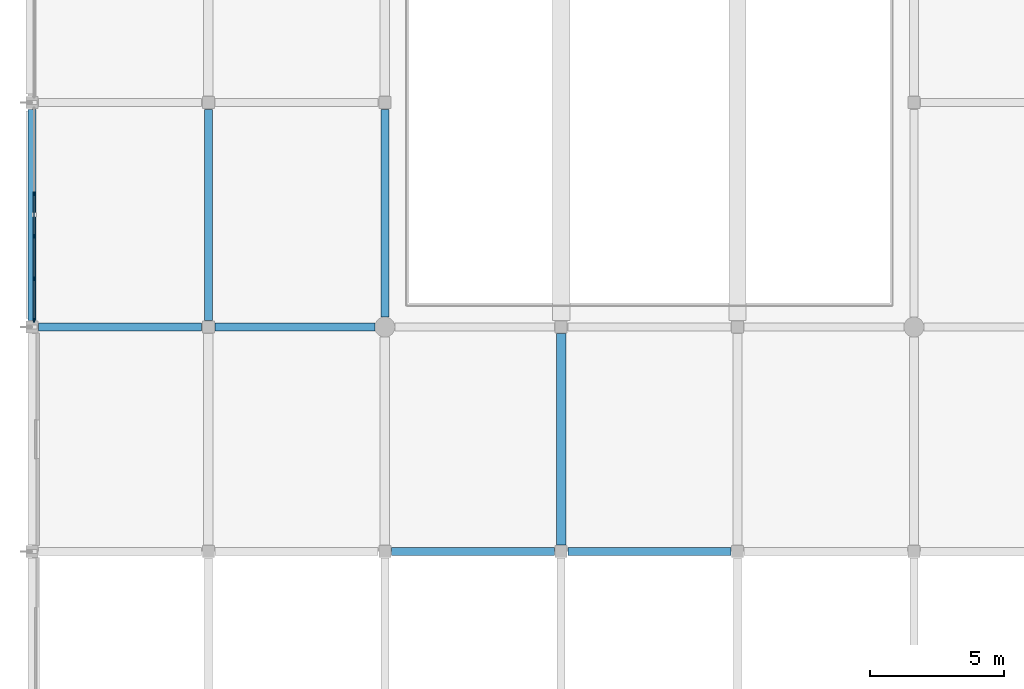
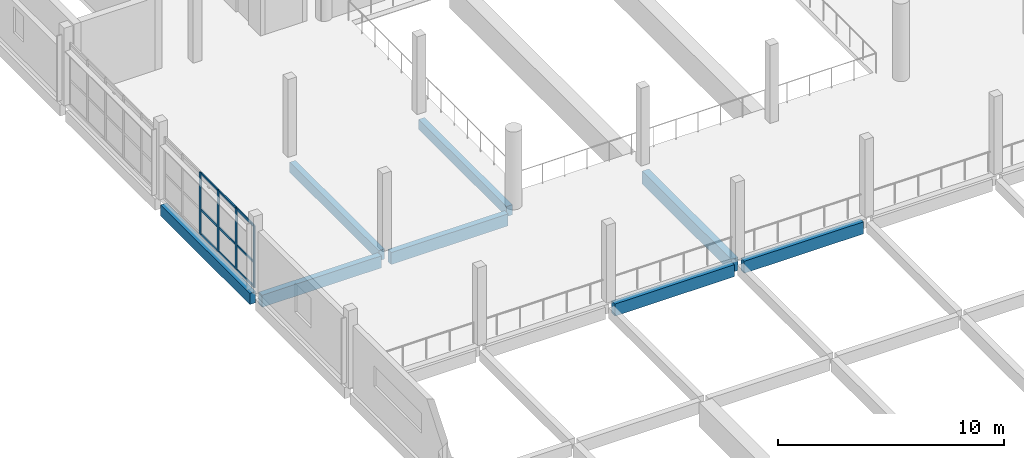
# One storey, part 4 of 74: 13 members, 8 beams, 1 element without a shape of its own.
"""IFC4 building model written with IfcOpenShell, lengths in metres."""

from ifc_helpers import new_model, si_unit, direction, frame, origin, origin_2d, place, context, subcontext, project, spatial, rectangle, extrude, material, material_profile, profile_set, type_object, element, aggregate, save


model = new_model("IFC4")

# Units and contexts
model_context = context("Model", 3, precision=1e-05, world=origin(), true_north=direction((0.0, 1.0)))
body_context = subcontext(model_context, "Body", "Model", "MODEL_VIEW")
ifc_project = project(units=[si_unit("LENGTHUNIT", "METRE"), si_unit("AREAUNIT", "SQUARE_METRE"), si_unit("VOLUMEUNIT", "CUBIC_METRE"), si_unit("PLANEANGLEUNIT", "RADIAN"), si_unit("MASSUNIT", "GRAM", prefix="KILO")], contexts=[model_context])

# Site, building, storey
site_placement = place(None, origin())
site = spatial("IfcSite", under=ifc_project, at=site_placement, CompositionType="ELEMENT")
building_placement = place(site_placement, origin())
building = spatial("IfcBuilding", under=site, at=building_placement, Name="Qaldarim Faculty of Natural and Applied Sciences", CompositionType="ELEMENT")
storey_placement = place(building_placement, frame((0.0, 0.0, 14.39990234375)))
storey = spatial("IfcBuildingStorey", under=building, at=storey_placement, Name="L03", CompositionType="ELEMENT", Elevation=14.39990234375)

# Beams
ifc_material_1 = material(Name="Concrete C40/50", Category="concrete")
ifc_material_profile_1 = material_profile(ifc_material_1, rectangle(XDim=0.300048828125, YDim=0.550048828125, at=origin_2d()), Name="RC-B300x550")
ifc_profile_set_1 = profile_set([ifc_material_profile_1], Name="Concrete C40/50")
beam_type_1 = type_object("IfcBeamType", Name="FloorBeam-RC300x550", PredefinedType="BEAM", material=ifc_profile_set_1)
beam_1_placement = place(storey_placement, frame((6.60009765625, 59.050048828125, -0.534912109375), z_axis=(0.0, 1.0, 0.0), x_axis=(-1.0, 0.0, 0.0)))
element("IfcBeam", 1, at=beam_1_placement, inside=storey, type_object=beam_type_1, Name="Beam RC-B300x550 L02 X02/Y08-Y09", PredefinedType="BEAM", context=body_context, shape_type="SweptSolid", body=[
    extrude(rectangle(XDim=0.300048828125, YDim=0.550048828125, at=origin_2d()), origin(), (0.0, 0.0, 1.0), 7.89990234375),
])
beam_2_placement = place(storey_placement, frame((13.199951171875, 59.175048828125, -0.534912109375), z_axis=(0.0, 1.0, 0.0), x_axis=(-1.0, 0.0, 0.0)))
element("IfcBeam", 2, at=beam_2_placement, inside=storey, type_object=beam_type_1, Name="Beam RC-B300x550 L02 X03/Y08-Y09", PredefinedType="BEAM", context=body_context, shape_type="SweptSolid", body=[
    extrude(rectangle(XDim=0.300048828125, YDim=0.550048828125, at=origin_2d()), origin(), (0.0, 0.0, 1.0), 7.77490234375),
])

# Curtain wall, members
ifc_material_2 = material(Name="Anodised aluminium AW-6063", Category="aluminium")
curtain_wall_type = type_object("IfcCurtainWallType", Name="CurtainWallSystem-M1500", PredefinedType="USERDEFINED", material=ifc_material_2)
curtain_wall_placement = place(storey_placement, origin())
curtain_wall = element("IfcCurtainWall", 3, at=curtain_wall_placement, inside=storey, type_object=curtain_wall_type, Name="Curtain wall CW-L03-W-X01Y08", ObjectType="STICK CURTAIN WALL", PredefinedType="USERDEFINED")
ifc_material_profile_2 = material_profile(ifc_material_2, rectangle(XDim=0.06005859375, YDim=0.14990234375, at=origin_2d()), Name="ALU-M60x150")
ifc_profile_set_2 = profile_set([ifc_material_profile_2], Name="Anodised aluminium AW-6063")
member_type_1 = type_object("IfcMemberType", Name="Mullion-ALU60x150", PredefinedType="MULLION", material=ifc_profile_set_2)
member_1_placement = place(storey_placement, frame((0.080078125, 63.7958984375, 0.0), z_axis=(0.0, 0.0, 1.0), x_axis=(1.0, 0.0, 0.0)))
member_1 = element("IfcMember", 4, at=member_1_placement, type_object=member_type_1, Name="Mullion 3 of CW-L03-W-X01Y08", PredefinedType="MULLION", context=body_context, shape_type="SweptSolid", body=[
    extrude(rectangle(XDim=0.06005859375, YDim=0.14990234375, at=origin_2d()), origin(), (0.0, 0.0, 1.0), 3.340087890625),
])
member_2_placement = place(storey_placement, frame((0.080078125, 62.2041015625, 0.0), z_axis=(0.0, 0.0, 1.0), x_axis=(1.0, 0.0, 0.0)))
member_2 = element("IfcMember", 5, at=member_2_placement, type_object=member_type_1, Name="Mullion 4 of CW-L03-W-X01Y08", PredefinedType="MULLION", context=body_context, shape_type="SweptSolid", body=[
    extrude(rectangle(XDim=0.06005859375, YDim=0.14990234375, at=origin_2d()), origin(), (0.0, 0.0, 1.0), 3.340087890625),
])
member_3_placement = place(storey_placement, frame((0.080078125, 60.612060546875, 0.0), z_axis=(0.0, 0.0, 1.0), x_axis=(1.0, 0.0, 0.0)))
member_3 = element("IfcMember", 6, at=member_3_placement, type_object=member_type_1, Name="Mullion 5 of CW-L03-W-X01Y08", PredefinedType="MULLION", context=body_context, shape_type="SweptSolid", body=[
    extrude(rectangle(XDim=0.06005859375, YDim=0.14990234375, at=origin_2d()), origin(), (0.0, 0.0, 1.0), 3.340087890625),
])
member_4_placement = place(storey_placement, frame((0.080078125, 59.050048828125, 0.0), z_axis=(0.0, 0.0, 1.0), x_axis=(1.0, 0.0, 0.0)))
member_4 = element("IfcMember", 7, at=member_4_placement, type_object=member_type_1, Name="Mullion 6 of CW-L03-W-X01Y08", PredefinedType="MULLION", context=body_context, shape_type="SweptSolid", body=[
    extrude(rectangle(XDim=0.06005859375, YDim=0.14990234375, at=origin_2d()), origin(), (0.0, 0.0, 1.0), 3.340087890625),
])

# Beams
ifc_material_profile_3 = material_profile(ifc_material_1, rectangle(XDim=0.300048828125, YDim=0.64990234375, at=origin_2d()), Name="RC-B300x650")
ifc_profile_set_3 = profile_set([ifc_material_profile_3], Name="Concrete C40/50")
beam_type_2 = type_object("IfcBeamType", Name="PrimaryBeam-RC300x650", PredefinedType="BEAM", material=ifc_profile_set_3)
beam_3_placement = place(storey_placement, frame((13.449951171875, 50.39990234375, -0.5849609375), z_axis=(1.0, 0.0, 0.0), x_axis=(0.0, 1.0, 0.0)))
element("IfcBeam", 8, at=beam_3_placement, inside=storey, type_object=beam_type_2, Name="Beam RC-B300x650 L02 X03-X04/Y07", PredefinedType="BEAM", context=body_context, shape_type="SweptSolid", body=[
    extrude(rectangle(XDim=0.300048828125, YDim=0.64990234375, at=origin_2d()), origin(), (0.0, 0.0, 1.0), 6.10009765625),
])
beam_4_placement = place(storey_placement, frame((20.050048828125, 50.39990234375, -0.5849609375), z_axis=(1.0, 0.0, 0.0), x_axis=(0.0, 1.0, 0.0)))
element("IfcBeam", 9, at=beam_4_placement, inside=storey, type_object=beam_type_2, Name="Beam RC-B300x650 L02 X04-X05/Y07", PredefinedType="BEAM", context=body_context, shape_type="SweptSolid", body=[
    extrude(rectangle(XDim=0.300048828125, YDim=0.64990234375, at=origin_2d()), origin(), (0.0, 0.0, 1.0), 6.099853515625),
])
beam_5_placement = place(storey_placement, frame((0.25, 58.800048828125, -0.5849609375), z_axis=(1.0, 0.0, 0.0), x_axis=(0.0, 1.0, 0.0)))
element("IfcBeam", 10, at=beam_5_placement, inside=storey, type_object=beam_type_2, Name="Beam RC-B300x650 L02 X01-X02/Y08", PredefinedType="BEAM", context=body_context, shape_type="SweptSolid", body=[
    extrude(rectangle(XDim=0.300048828125, YDim=0.64990234375, at=origin_2d()), origin(), (0.0, 0.0, 1.0), 6.10009765625),
])
beam_6_placement = place(storey_placement, frame((6.85009765625, 58.800048828125, -0.5849609375), z_axis=(1.0, 0.0, 0.0), x_axis=(0.0, 1.0, 0.0)))
element("IfcBeam", 11, at=beam_6_placement, inside=storey, type_object=beam_type_2, Name="Beam RC-B300x650 L02 X02-X03/Y08", PredefinedType="BEAM", context=body_context, shape_type="SweptSolid", body=[
    extrude(rectangle(XDim=0.300048828125, YDim=0.64990234375, at=origin_2d()), origin(), (0.0, 0.0, 1.0), 5.974853515625),
])
ifc_material_profile_4 = material_profile(ifc_material_1, rectangle(XDim=0.35009765625, YDim=0.699951171875, at=origin_2d()), Name="RC-B350x700")
ifc_profile_set_4 = profile_set([ifc_material_profile_4], Name="Concrete C40/50")
beam_type_3 = type_object("IfcBeamType", Name="PrimaryGirder-RC350x700", PredefinedType="BEAM", material=ifc_profile_set_4)
beam_7_placement = place(storey_placement, frame((19.800048828125, 50.64990234375, -0.60986328125), z_axis=(0.0, 1.0, 0.0), x_axis=(-1.0, 0.0, 0.0)))
element("IfcBeam", 12, at=beam_7_placement, inside=storey, type_object=beam_type_3, Name="Beam RC-B350x700 L02 X04/Y07-Y08", PredefinedType="BEAM", context=body_context, shape_type="SweptSolid", body=[
    extrude(rectangle(XDim=0.35009765625, YDim=0.699951171875, at=origin_2d()), origin(), (0.0, 0.0, 1.0), 7.900146484375),
])
ifc_material_3 = material(Name="Precast concrete C40/50", Category="concrete")
ifc_material_profile_5 = material_profile(ifc_material_3, rectangle(XDim=0.300048828125, YDim=0.60009765625, at=origin_2d()), Name="RC-SP300x600")
ifc_profile_set_5 = profile_set([ifc_material_profile_5], Name="Precast concrete C40/50")
beam_type_4 = type_object("IfcBeamType", Name="SpandrelBeam-RC300x600", PredefinedType="SPANDREL", material=ifc_profile_set_5)
beam_8_placement = place(storey_placement, frame((0.0, 59.050048828125, -0.559814453125), z_axis=(0.0, 1.0, 0.0), x_axis=(-1.0, 0.0, 0.0)))
element("IfcBeam", 13, at=beam_8_placement, inside=storey, type_object=beam_type_4, Name="Beam RC-SP300x600 L02 X01/Y08-Y09", PredefinedType="SPANDREL", context=body_context, shape_type="SweptSolid", body=[
    extrude(rectangle(XDim=0.300048828125, YDim=0.60009765625, at=origin_2d()), origin(), (0.0, 0.0, 1.0), 7.89990234375),
])

# Member
ifc_material_profile_6 = material_profile(ifc_material_2, rectangle(XDim=0.06005859375, YDim=0.1201171875, at=origin_2d()), Name="ALU-T60x120")
ifc_profile_set_6 = profile_set([ifc_material_profile_6], Name="Anodised aluminium AW-6063")
member_type_2 = type_object("IfcMemberType", Name="Transom-ALU60x120", PredefinedType="USERDEFINED", material=ifc_profile_set_6)
member_5_placement = place(storey_placement, frame((0.080078125, 63.76611328125, 0.030029296875), z_axis=(0.0, -1.0, 0.0), x_axis=(1.0, 0.0, 0.0)))
member_5 = element("IfcMember", 14, at=member_5_placement, type_object=member_type_2, Name="Transom 3-1 of CW-L03-W-X01Y08", ObjectType="TRANSOM", PredefinedType="USERDEFINED", context=body_context, shape_type="SweptSolid", body=[
    extrude(rectangle(XDim=0.06005859375, YDim=0.1201171875, at=origin_2d()), origin(), (0.0, 0.0, 1.0), 1.5322265625),
])

member_6_placement = place(storey_placement, frame((0.080078125, 63.76611328125, 1.35009765625), z_axis=(0.0, -1.0, 0.0), x_axis=(1.0, 0.0, 0.0)))
member_6 = element("IfcMember", 15, at=member_6_placement, type_object=member_type_2, Name="Transom 3-2 of CW-L03-W-X01Y08", ObjectType="TRANSOM", PredefinedType="USERDEFINED", context=body_context, shape_type="SweptSolid", body=[
    extrude(rectangle(XDim=0.06005859375, YDim=0.1201171875, at=origin_2d()), origin(), (0.0, 0.0, 1.0), 1.5322265625),
])

member_7_placement = place(storey_placement, frame((0.080078125, 63.76611328125, 3.31005859375), z_axis=(0.0, -1.0, 0.0), x_axis=(1.0, 0.0, 0.0)))
member_7 = element("IfcMember", 16, at=member_7_placement, type_object=member_type_2, Name="Transom 3-3 of CW-L03-W-X01Y08", ObjectType="TRANSOM", PredefinedType="USERDEFINED", context=body_context, shape_type="SweptSolid", body=[
    extrude(rectangle(XDim=0.06005859375, YDim=0.1201171875, at=origin_2d()), origin(), (0.0, 0.0, 1.0), 1.5322265625),
])

member_8_placement = place(storey_placement, frame((0.080078125, 62.174072265625, 0.030029296875), z_axis=(0.0, -1.0, 0.0), x_axis=(1.0, 0.0, 0.0)))
member_8 = element("IfcMember", 17, at=member_8_placement, type_object=member_type_2, Name="Transom 4-1 of CW-L03-W-X01Y08", ObjectType="TRANSOM", PredefinedType="USERDEFINED", context=body_context, shape_type="SweptSolid", body=[
    extrude(rectangle(XDim=0.06005859375, YDim=0.1201171875, at=origin_2d()), origin(), (0.0, 0.0, 1.0), 1.531982421875),
])

member_9_placement = place(storey_placement, frame((0.080078125, 62.174072265625, 1.35009765625), z_axis=(0.0, -1.0, 0.0), x_axis=(1.0, 0.0, 0.0)))
member_9 = element("IfcMember", 18, at=member_9_placement, type_object=member_type_2, Name="Transom 4-2 of CW-L03-W-X01Y08", ObjectType="TRANSOM", PredefinedType="USERDEFINED", context=body_context, shape_type="SweptSolid", body=[
    extrude(rectangle(XDim=0.06005859375, YDim=0.1201171875, at=origin_2d()), origin(), (0.0, 0.0, 1.0), 1.531982421875),
])

member_10_placement = place(storey_placement, frame((0.080078125, 62.174072265625, 3.31005859375), z_axis=(0.0, -1.0, 0.0), x_axis=(1.0, 0.0, 0.0)))
member_10 = element("IfcMember", 19, at=member_10_placement, type_object=member_type_2, Name="Transom 4-3 of CW-L03-W-X01Y08", ObjectType="TRANSOM", PredefinedType="USERDEFINED", context=body_context, shape_type="SweptSolid", body=[
    extrude(rectangle(XDim=0.06005859375, YDim=0.1201171875, at=origin_2d()), origin(), (0.0, 0.0, 1.0), 1.531982421875),
])

member_11_placement = place(storey_placement, frame((0.080078125, 60.58203125, 0.030029296875), z_axis=(0.0, -1.0, 0.0), x_axis=(1.0, 0.0, 0.0)))
member_11 = element("IfcMember", 20, at=member_11_placement, type_object=member_type_2, Name="Transom 5-1 of CW-L03-W-X01Y08", ObjectType="TRANSOM", PredefinedType="USERDEFINED", context=body_context, shape_type="SweptSolid", body=[
    extrude(rectangle(XDim=0.06005859375, YDim=0.1201171875, at=origin_2d()), origin(), (0.0, 0.0, 1.0), 1.501953125),
])

member_12_placement = place(storey_placement, frame((0.080078125, 60.58203125, 1.35009765625), z_axis=(0.0, -1.0, 0.0), x_axis=(1.0, 0.0, 0.0)))
member_12 = element("IfcMember", 21, at=member_12_placement, type_object=member_type_2, Name="Transom 5-2 of CW-L03-W-X01Y08", ObjectType="TRANSOM", PredefinedType="USERDEFINED", context=body_context, shape_type="SweptSolid", body=[
    extrude(rectangle(XDim=0.06005859375, YDim=0.1201171875, at=origin_2d()), origin(), (0.0, 0.0, 1.0), 1.501953125),
])

member_13_placement = place(storey_placement, frame((0.080078125, 60.58203125, 3.31005859375), z_axis=(0.0, -1.0, 0.0), x_axis=(1.0, 0.0, 0.0)))
member_13 = element("IfcMember", 22, at=member_13_placement, type_object=member_type_2, Name="Transom 5-3 of CW-L03-W-X01Y08", ObjectType="TRANSOM", PredefinedType="USERDEFINED", context=body_context, shape_type="SweptSolid", body=[
    extrude(rectangle(XDim=0.06005859375, YDim=0.1201171875, at=origin_2d()), origin(), (0.0, 0.0, 1.0), 1.501953125),
])

aggregate(curtain_wall, [member_1, member_2, member_3, member_4, member_5, member_6, member_7, member_8, member_9, member_10, member_11, member_12, member_13])

save(model, "model.ifc")
